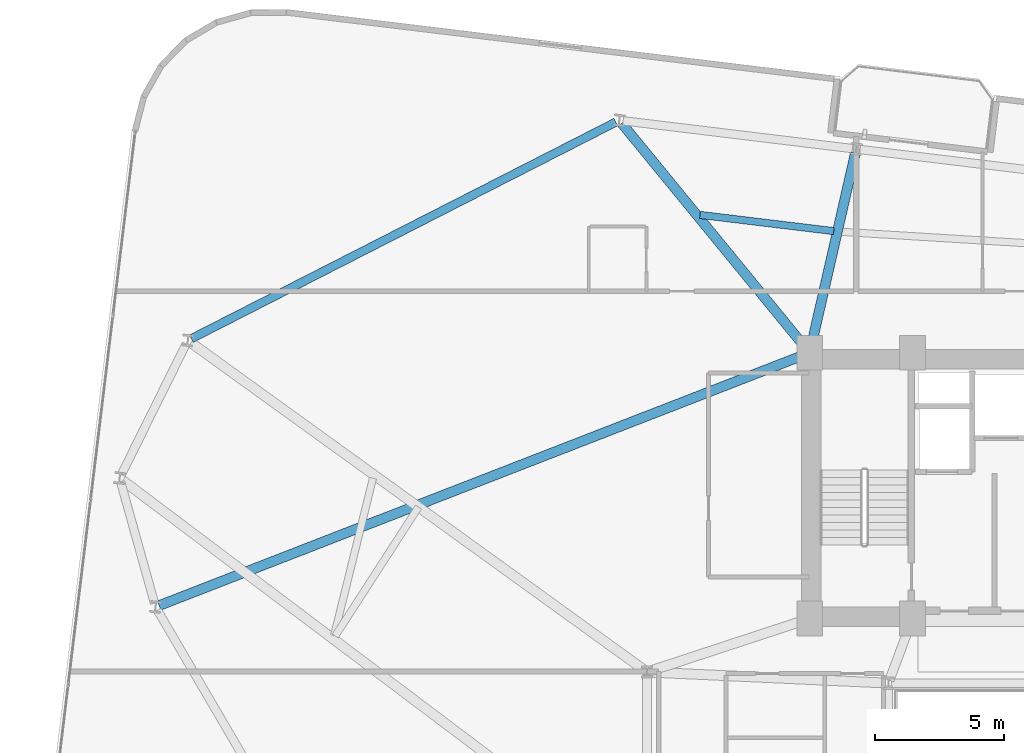
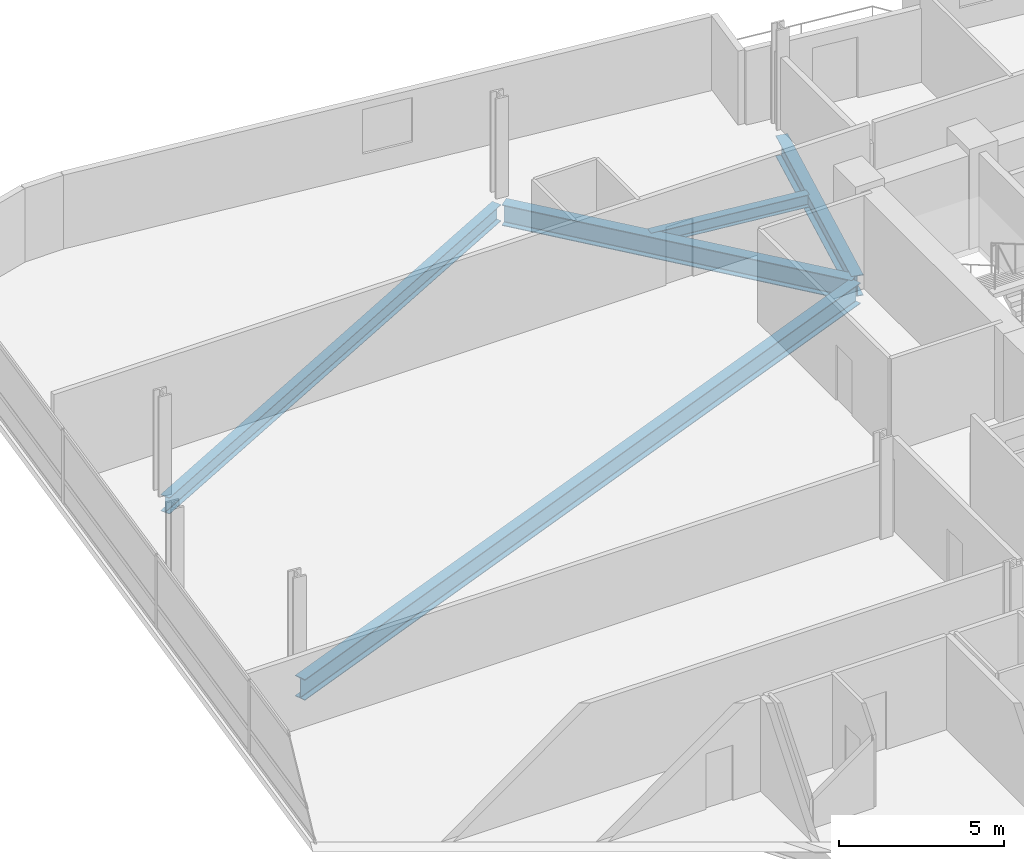
# One storey, part 11 of 26: 5 beams.
"""IFC4 building model written with IfcOpenShell, lengths in metres."""

from ifc_helpers import new_model, si_unit, direction, frame, origin, origin_2d, place, context, subcontext, project, spatial, i_section, extrude, material, material_profile, profile_set, type_object, element, save


model = new_model("IFC4")

# Units and contexts
model_context = context("Model", 3, precision=1e-05, world=origin(), true_north=direction((0.0, 1.0)))
body_context = subcontext(model_context, "Body", "Model", "MODEL_VIEW")
ifc_project = project(units=[si_unit("LENGTHUNIT", "METRE"), si_unit("AREAUNIT", "SQUARE_METRE"), si_unit("VOLUMEUNIT", "CUBIC_METRE"), si_unit("PLANEANGLEUNIT", "RADIAN"), si_unit("MASSUNIT", "GRAM", prefix="KILO")], contexts=[model_context])

# Site, building, storey
site_placement = place(None, origin())
site = spatial("IfcSite", under=ifc_project, at=site_placement, CompositionType="ELEMENT")
building_placement = place(site_placement, origin())
building = spatial("IfcBuilding", under=site, at=building_placement, Name="Varnelok Gate Tower", CompositionType="ELEMENT")
storey_placement = place(building_placement, frame((0.0, 0.0, 121.699951171875)))
storey = spatial("IfcBuildingStorey", under=building, at=storey_placement, Name="L30", CompositionType="ELEMENT", Elevation=121.699951171875)

# Beams
ifc_material = material(Name="Structural Steel ASTM A992 Grade 50", Category="steel")
ifc_material_profile_1 = material_profile(ifc_material, i_section(OverallWidth=0.280029296875, OverallDepth=0.462890625, WebThickness=0.0107421875, FlangeThickness=0.017333984375, FilletRadius=0.014892578125, at=origin_2d()), Name="W18X76")
ifc_profile_set_1 = profile_set([ifc_material_profile_1], Name="Structural Steel ASTM A992 Grade 50")
beam_type_1 = type_object("IfcBeamType", Name="BM-JST-W18X76", PredefinedType="JOIST", material=ifc_profile_set_1)
beam_1_placement = place(storey_placement, frame((31.635498046875, 43.76318359375, -0.4814453125), z_axis=(-0.99273192091, 0.120346720792, 0.0), x_axis=(-0.120346720792, -0.99273192091, 0.0)))
element("IfcBeam", 1, at=beam_1_placement, inside=storey, type_object=beam_type_1, Name="L30 Sector Floor Joist 10", PredefinedType="JOIST", context=body_context, shape_type="SweptSolid", body=[
    extrude(i_section(OverallWidth=0.280029296875, OverallDepth=0.462890625, WebThickness=0.0107421875, FlangeThickness=0.017333984375, FilletRadius=0.014892578125, at=origin_2d()), origin(), (0.0, 0.0, 1.0), 5.223876953125),
])
ifc_material_profile_2 = material_profile(ifc_material, i_section(OverallWidth=0.381103515625, OverallDepth=0.77294921875, WebThickness=0.0166015625, FlangeThickness=0.027099609375, FilletRadius=0.02197265625, at=origin_2d()), Name="W30X173")
ifc_profile_set_2 = profile_set([ifc_material_profile_2], Name="Structural Steel ASTM A992 Grade 50")
beam_type_2 = type_object("IfcBeamType", Name="BM-PRI-W30X173", PredefinedType="BEAM", material=ifc_profile_set_2)
beam_2_placement = place(storey_placement, frame((30.7333984375, 39.1962890625, -0.636474609375), z_axis=(0.223043307507, 0.974808536573, 0.0), x_axis=(-0.974808536573, 0.223043307507, 0.0)))
element("IfcBeam", 2, at=beam_2_placement, inside=storey, type_object=beam_type_2, Name="L30 Radial Floor Girder 12", PredefinedType="BEAM", context=body_context, shape_type="SweptSolid", body=[
    extrude(i_section(OverallWidth=0.381103515625, OverallDepth=0.77294921875, WebThickness=0.0166015625, FlangeThickness=0.027099609375, FilletRadius=0.02197265625, at=origin_2d()), origin(), (0.0, 0.0, 1.0), 7.796875),
])
beam_3_placement = place(storey_placement, frame((30.60498046875, 39.166015625, -0.636474609375), z_axis=(-0.633655000371, 0.773615757663, 0.0), x_axis=(-0.773615757663, -0.633655000371, 0.0)))
element("IfcBeam", 3, at=beam_3_placement, inside=storey, type_object=beam_type_2, Name="L30 Radial Floor Girder 13", PredefinedType="BEAM", context=body_context, shape_type="SweptSolid", body=[
    extrude(i_section(OverallWidth=0.381103515625, OverallDepth=0.77294921875, WebThickness=0.0166015625, FlangeThickness=0.027099609375, FilletRadius=0.02197265625, at=origin_2d()), origin(), (0.0, 0.0, 1.0), 11.341796875),
])
beam_4_placement = place(storey_placement, frame((30.560302734375, 38.99560546875, -0.636474609375), z_axis=(-0.93209869119, -0.362204403454, 0.0), x_axis=(0.362204403454, -0.93209869119, 0.0)))
element("IfcBeam", 4, at=beam_4_placement, inside=storey, type_object=beam_type_2, Name="L30 Radial Floor Girder 16", PredefinedType="BEAM", context=body_context, shape_type="SweptSolid", body=[
    extrude(i_section(OverallWidth=0.381103515625, OverallDepth=0.77294921875, WebThickness=0.0166015625, FlangeThickness=0.027099609375, FilletRadius=0.02197265625, at=origin_2d()), origin(), (0.0, 0.0, 1.0), 26.890869140625),
])
ifc_material_profile_3 = material_profile(ifc_material, i_section(OverallWidth=0.323974609375, OverallDepth=0.611083984375, WebThickness=0.0126953125, FlangeThickness=0.01904296875, FilletRadius=0.01806640625, at=origin_2d()), Name="W24X104")
ifc_profile_set_3 = profile_set([ifc_material_profile_3], Name="Structural Steel ASTM A992 Grade 50")
beam_type_3 = type_object("IfcBeamType", Name="BM-SPN-W24X104", PredefinedType="SPANDREL", material=ifc_profile_set_3)
beam_5_placement = place(storey_placement, frame((23.189697265625, 47.98779296875, -0.555419921875), z_axis=(-0.890729755615, -0.454533279819, 0.0), x_axis=(0.454533279819, -0.890729755615, 0.0)))
element("IfcBeam", 5, at=beam_5_placement, inside=storey, type_object=beam_type_3, Name="L30 Perimeter Spandrel Beam 13", PredefinedType="SPANDREL", context=body_context, shape_type="SweptSolid", body=[
    extrude(i_section(OverallWidth=0.323974609375, OverallDepth=0.611083984375, WebThickness=0.0126953125, FlangeThickness=0.01904296875, FilletRadius=0.01806640625, at=origin_2d()), origin(), (0.0, 0.0, 1.0), 18.466796875),
])

save(model, "model.ifc")
